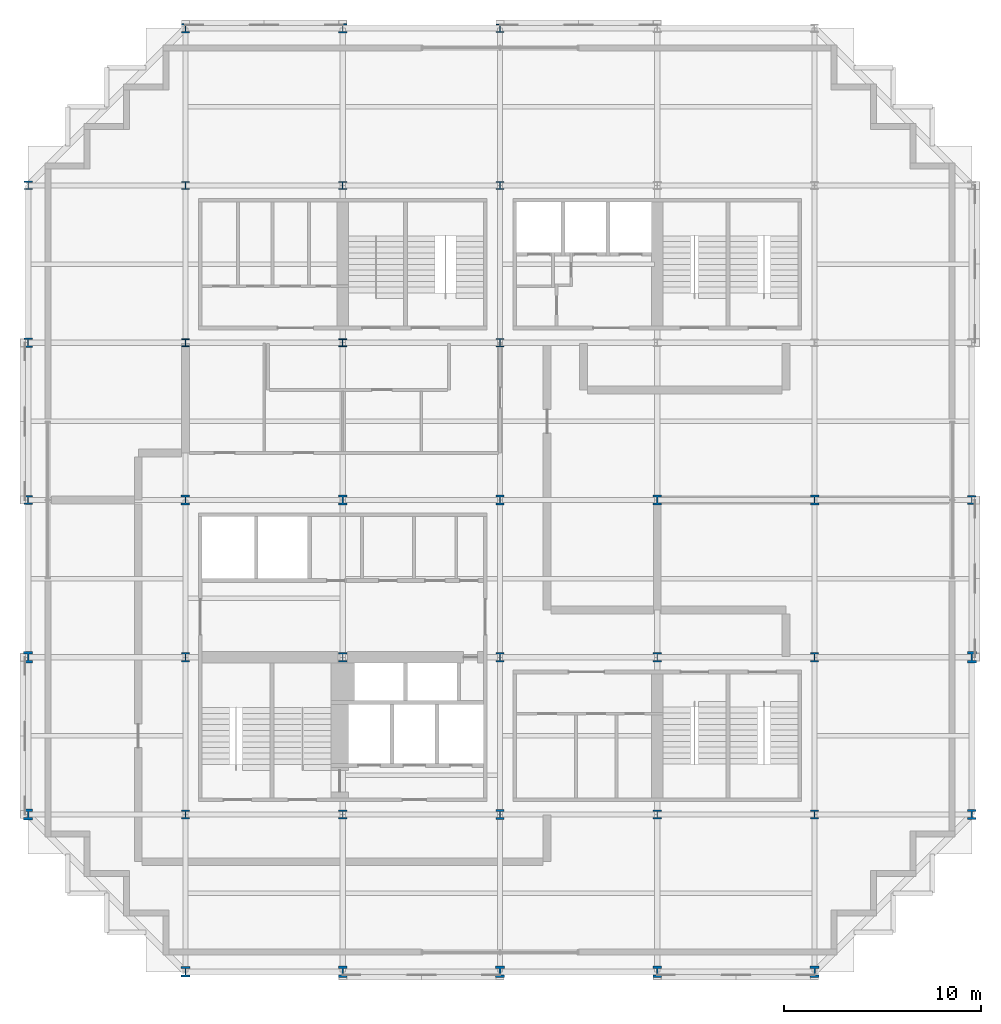
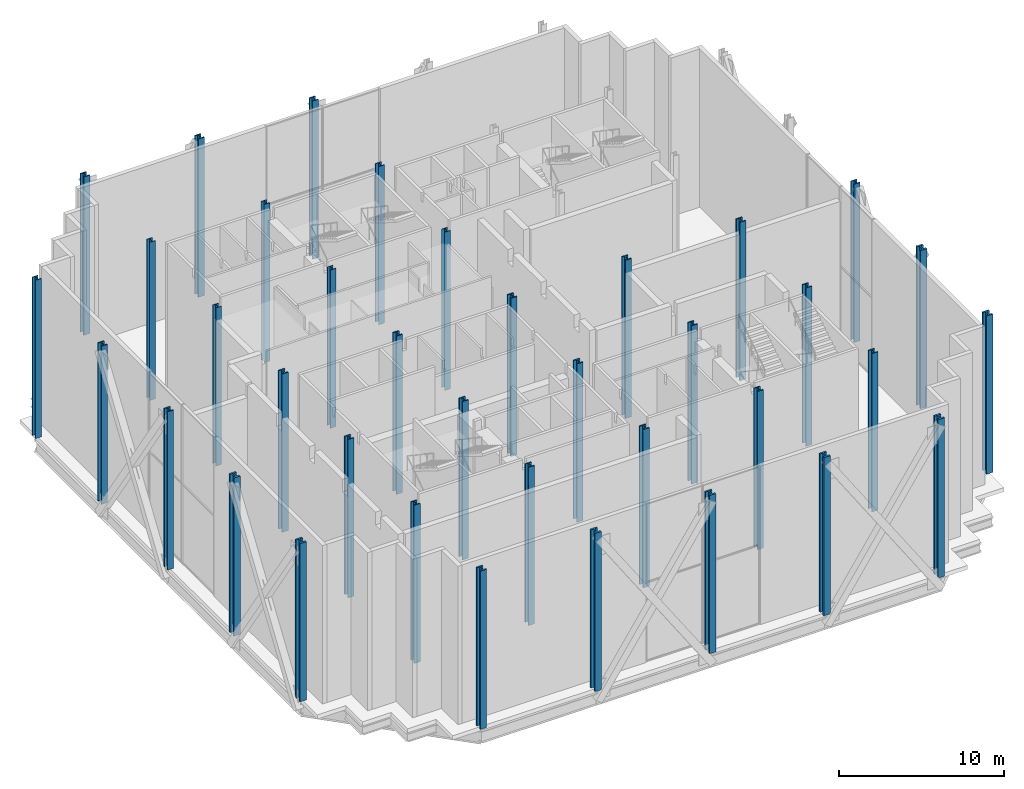
# One storey, part 1 of 14: 37 columns.
"""IFC4 building model written with IfcOpenShell, lengths in metres."""

from ifc_helpers import new_model, si_unit, direction, frame, origin, origin_2d, place, context, subcontext, project, spatial, i_section, extrude, material, material_profile, profile_set, type_object, element, save


model = new_model("IFC4")

# Units and contexts
model_context = context("Model", 3, precision=1e-05, world=origin(), true_north=direction((0.0, 1.0)))
body_context = subcontext(model_context, "Body", "Model", "MODEL_VIEW")
ifc_project = project(units=[si_unit("LENGTHUNIT", "METRE"), si_unit("AREAUNIT", "SQUARE_METRE"), si_unit("VOLUMEUNIT", "CUBIC_METRE"), si_unit("PLANEANGLEUNIT", "RADIAN"), si_unit("MASSUNIT", "GRAM", prefix="KILO")], contexts=[model_context])

# Site, building, storey
site_placement = place(None, origin())
site = spatial("IfcSite", under=ifc_project, at=site_placement, CompositionType="ELEMENT")
building_placement = place(site_placement, origin())
building = spatial("IfcBuilding", under=site, at=building_placement, Name="Immortelle Media Tower", CompositionType="ELEMENT")
storey_placement = place(building_placement, frame((0.0, 0.0, 9.0)))
storey = spatial("IfcBuildingStorey", under=building, at=storey_placement, Name="L01", CompositionType="ELEMENT", Elevation=9.0)

# Columns
ifc_material = material(Name="Steel ASTM A992 Gr 50", Category="steel")
ifc_material_profile_1 = material_profile(ifc_material, i_section(OverallWidth=0.40087890625, OverallDepth=0.39892578125, WebThickness=0.02490234375, FlangeThickness=0.0400390625, at=origin_2d()), Name="W14x211")
ifc_profile_set_1 = profile_set([ifc_material_profile_1], Name="Steel ASTM A992 Gr 50")
column_type_1 = type_object("IfcColumnType", Name="W14x211 column", PredefinedType="COLUMN", material=ifc_profile_set_1)
for number, where, z_axis, x_axis, name in (
    (1, (8.0, 32.0, 0.0), (0.0, 0.0, 1.0), (1.0, 0.0, 0.0), "Column 2/E"),
    (2, (8.0, 40.0, 0.0), (0.0, 0.0, 1.0), (1.0, 0.0, 0.0), "Column 2/F"),
    (3, (16.0, 32.0, 0.0), (0.0, 0.0, 1.0), (1.0, 0.0, 0.0), "Column 3/E"),
    (4, (16.0, 40.0, 0.0), (0.0, 0.0, 1.0), (1.0, 0.0, 0.0), "Column 3/F"),
):
    element("IfcColumn", number, at=place(storey_placement, frame(where, z_axis=z_axis, x_axis=x_axis)), inside=storey, type_object=column_type_1, Name=name, PredefinedType="COLUMN", context=body_context, shape_type="SweptSolid", body=[
        extrude(i_section(OverallWidth=0.40087890625, OverallDepth=0.39892578125, WebThickness=0.02490234375, FlangeThickness=0.0400390625, at=origin_2d()), origin(), (0.0, 0.0, 1.0), 11.699951171875),
    ])
ifc_material_profile_2 = material_profile(ifc_material, i_section(OverallWidth=0.406005859375, OverallDepth=0.4169921875, WebThickness=0.030029296875, FlangeThickness=0.048095703125, at=origin_2d()), Name="W14x257")
ifc_profile_set_2 = profile_set([ifc_material_profile_2], Name="Steel ASTM A992 Gr 50")
column_type_2 = type_object("IfcColumnType", Name="W14x257 column", PredefinedType="COLUMN", material=ifc_profile_set_2)
for number, where, z_axis, x_axis, name in (
    (5, (24.0, 32.0, 0.0), (0.0, 0.0, 1.0), (1.0, 0.0, 0.0), "Column 4/E"),
    (6, (24.0, 40.0, 0.0), (0.0, 0.0, 1.0), (1.0, 0.0, 0.0), "Column 4/F"),
):
    element("IfcColumn", number, at=place(storey_placement, frame(where, z_axis=z_axis, x_axis=x_axis)), inside=storey, type_object=column_type_2, Name=name, PredefinedType="COLUMN", context=body_context, shape_type="SweptSolid", body=[
        extrude(i_section(OverallWidth=0.406005859375, OverallDepth=0.4169921875, WebThickness=0.030029296875, FlangeThickness=0.048095703125, at=origin_2d()), origin(), (0.0, 0.0, 1.0), 11.699951171875),
    ])
ifc_material_profile_3 = material_profile(ifc_material, i_section(OverallWidth=0.410888671875, OverallDepth=0.43408203125, WebThickness=0.035888671875, FlangeThickness=0.056884765625, at=origin_2d()), Name="W14x311")
ifc_profile_set_3 = profile_set([ifc_material_profile_3], Name="Steel ASTM A992 Gr 50")
column_type_3 = type_object("IfcColumnType", Name="W14x311 column", PredefinedType="COLUMN", material=ifc_profile_set_3)
for number, where, z_axis, x_axis, name in (
    (7, (0.0, 40.0, 0.0), (0.0, 0.0, 1.0), (1.0, 0.0, 0.0), "Column 1/F"),
    (8, (24.0, 48.0, 0.0), (0.0, 0.0, 1.0), (1.0, 0.0, 0.0), "Column 4/G"),
    (9, (48.0, 24.0, 0.0), (0.0, 0.0, 1.0), (1.0, 0.0, 0.0), "Column 7/D"),
):
    element("IfcColumn", number, at=place(storey_placement, frame(where, z_axis=z_axis, x_axis=x_axis)), inside=storey, type_object=column_type_3, Name=name, PredefinedType="COLUMN", context=body_context, shape_type="SweptSolid", body=[
        extrude(i_section(OverallWidth=0.410888671875, OverallDepth=0.43408203125, WebThickness=0.035888671875, FlangeThickness=0.056884765625, at=origin_2d()), origin(), (0.0, 0.0, 1.0), 11.699951171875),
    ])
ifc_material_profile_4 = material_profile(ifc_material, i_section(OverallWidth=0.424072265625, OverallDepth=0.47509765625, WebThickness=0.048095703125, FlangeThickness=0.076904296875, at=origin_2d()), Name="W14x426")
ifc_profile_set_4 = profile_set([ifc_material_profile_4], Name="Steel ASTM A992 Gr 50")
column_type_4 = type_object("IfcColumnType", Name="W14x426 column", PredefinedType="COLUMN", material=ifc_profile_set_4)
for number, where, z_axis, x_axis, name in (
    (10, (0.0, 24.0, 0.0), (0.0, 0.0, 1.0), (1.0, 0.0, 0.0), "Column 1/D"),
    (11, (0.0, 32.0, 0.0), (0.0, 0.0, 1.0), (1.0, 0.0, 0.0), "Column 1/E"),
    (12, (8.0, 8.0, 0.0), (0.0, 0.0, 1.0), (1.0, 0.0, 0.0), "Column 2/B"),
    (13, (8.0, 16.0, 0.0), (0.0, 0.0, 1.0), (1.0, 0.0, 0.0), "Column 2/C"),
    (14, (8.0, 48.0, 0.0), (0.0, 0.0, 1.0), (1.0, 0.0, 0.0), "Column 2/G"),
    (15, (16.0, 8.0, 0.0), (0.0, 0.0, 1.0), (1.0, 0.0, 0.0), "Column 3/B"),
    (16, (16.0, 16.0, 0.0), (0.0, 0.0, 1.0), (1.0, 0.0, 0.0), "Column 3/C"),
    (17, (16.0, 48.0, 0.0), (0.0, 0.0, 1.0), (1.0, 0.0, 0.0), "Column 3/G"),
    (18, (32.0, 8.0, 0.0), (0.0, 0.0, 1.0), (1.0, 0.0, 0.0), "Column 5/B"),
    (19, (32.0, 16.0, 0.0), (0.0, 0.0, 1.0), (1.0, 0.0, 0.0), "Column 5/C"),
    (20, (40.0, 8.0, 0.0), (0.0, 0.0, 1.0), (1.0, 0.0, 0.0), "Column 6/B"),
    (21, (40.0, 16.0, 0.0), (0.0, 0.0, 1.0), (1.0, 0.0, 0.0), "Column 6/C"),
):
    element("IfcColumn", number, at=place(storey_placement, frame(where, z_axis=z_axis, x_axis=x_axis)), inside=storey, type_object=column_type_4, Name=name, PredefinedType="COLUMN", context=body_context, shape_type="SweptSolid", body=[
        extrude(i_section(OverallWidth=0.424072265625, OverallDepth=0.47509765625, WebThickness=0.048095703125, FlangeThickness=0.076904296875, at=origin_2d()), origin(), (0.0, 0.0, 1.0), 11.699951171875),
    ])
ifc_material_profile_5 = material_profile(ifc_material, i_section(OverallWidth=0.431884765625, OverallDepth=0.498046875, WebThickness=0.055908203125, FlangeThickness=0.089111328125, at=origin_2d()), Name="W14x500")
ifc_profile_set_5 = profile_set([ifc_material_profile_5], Name="Steel ASTM A992 Gr 50")
column_type_5 = type_object("IfcColumnType", Name="W14x500 column", PredefinedType="COLUMN", material=ifc_profile_set_5)
for number, where, z_axis, x_axis, name in (
    (22, (8.0, 24.0, 0.0), (0.0, 0.0, 1.0), (1.0, 0.0, 0.0), "Column 2/D"),
    (23, (16.0, 24.0, 0.0), (0.0, 0.0, 1.0), (1.0, 0.0, 0.0), "Column 3/D"),
    (24, (24.0, 8.0, 0.0), (0.0, 0.0, 1.0), (1.0, 0.0, 0.0), "Column 4/B"),
    (25, (24.0, 16.0, 0.0), (0.0, 0.0, 1.0), (1.0, 0.0, 0.0), "Column 4/C"),
    (26, (24.0, 24.0, 0.0), (0.0, 0.0, 1.0), (1.0, 0.0, 0.0), "Column 4/D"),
    (27, (32.0, 24.0, 0.0), (0.0, 0.0, 1.0), (1.0, 0.0, 0.0), "Column 5/D"),
    (28, (40.0, 24.0, 0.0), (0.0, 0.0, 1.0), (1.0, 0.0, 0.0), "Column 6/D"),
):
    element("IfcColumn", number, at=place(storey_placement, frame(where, z_axis=z_axis, x_axis=x_axis)), inside=storey, type_object=column_type_5, Name=name, PredefinedType="COLUMN", context=body_context, shape_type="SweptSolid", body=[
        extrude(i_section(OverallWidth=0.431884765625, OverallDepth=0.498046875, WebThickness=0.055908203125, FlangeThickness=0.089111328125, at=origin_2d()), origin(), (0.0, 0.0, 1.0), 11.699951171875),
    ])
ifc_material_profile_6 = material_profile(ifc_material, i_section(OverallWidth=0.44189453125, OverallDepth=0.531005859375, WebThickness=0.06591796875, FlangeThickness=0.10595703125, at=origin_2d()), Name="W14x605")
ifc_profile_set_6 = profile_set([ifc_material_profile_6], Name="Steel ASTM A992 Gr 50")
column_type_6 = type_object("IfcColumnType", Name="W14x605 column", PredefinedType="COLUMN", material=ifc_profile_set_6)
for number, where, z_axis, x_axis, name in (
    (29, (8.0, 0.0, 0.0), (0.0, 0.0, 1.0), (1.0, 0.0, 0.0), "Column 2/A"),
    (30, (48.0, 8.0, 0.0), (0.0, 0.0, 1.0), (1.0, 0.0, 0.0), "Column 7/B"),
):
    element("IfcColumn", number, at=place(storey_placement, frame(where, z_axis=z_axis, x_axis=x_axis)), inside=storey, type_object=column_type_6, Name=name, PredefinedType="COLUMN", context=body_context, shape_type="SweptSolid", body=[
        extrude(i_section(OverallWidth=0.44189453125, OverallDepth=0.531005859375, WebThickness=0.06591796875, FlangeThickness=0.10595703125, at=origin_2d()), origin(), (0.0, 0.0, 1.0), 11.699951171875),
    ])
ifc_material_profile_7 = material_profile(ifc_material, i_section(OverallWidth=0.455078125, OverallDepth=0.569091796875, WebThickness=0.077880859375, FlangeThickness=0.125, at=origin_2d()), Name="W14x730")
ifc_profile_set_7 = profile_set([ifc_material_profile_7], Name="Steel ASTM A992 Gr 50")
column_type_7 = type_object("IfcColumnType", Name="W14x730 column", PredefinedType="COLUMN", material=ifc_profile_set_7)
for number, where, z_axis, x_axis, name in (
    (31, (0.0, 8.0, 0.0), (0.0, 0.0, 1.0), (1.0, 0.0, 0.0), "Column 1/B"),
    (32, (0.0, 16.0, 0.0), (0.0, 0.0, 1.0), (1.0, 0.0, 0.0), "Column 1/C"),
    (33, (16.0, 0.0, 0.0), (0.0, 0.0, 1.0), (1.0, 0.0, 0.0), "Column 3/A"),
    (34, (24.0, 0.0, 0.0), (0.0, 0.0, 1.0), (1.0, 0.0, 0.0), "Column 4/A"),
    (35, (32.0, 0.0, 0.0), (0.0, 0.0, 1.0), (1.0, 0.0, 0.0), "Column 5/A"),
    (36, (40.0, 0.0, 0.0), (0.0, 0.0, 1.0), (1.0, 0.0, 0.0), "Column 6/A"),
    (37, (48.0, 16.0, 0.0), (0.0, 0.0, 1.0), (1.0, 0.0, 0.0), "Column 7/C"),
):
    element("IfcColumn", number, at=place(storey_placement, frame(where, z_axis=z_axis, x_axis=x_axis)), inside=storey, type_object=column_type_7, Name=name, PredefinedType="COLUMN", context=body_context, shape_type="SweptSolid", body=[
        extrude(i_section(OverallWidth=0.455078125, OverallDepth=0.569091796875, WebThickness=0.077880859375, FlangeThickness=0.125, at=origin_2d()), origin(), (0.0, 0.0, 1.0), 11.699951171875),
    ])

save(model, "model.ifc")
